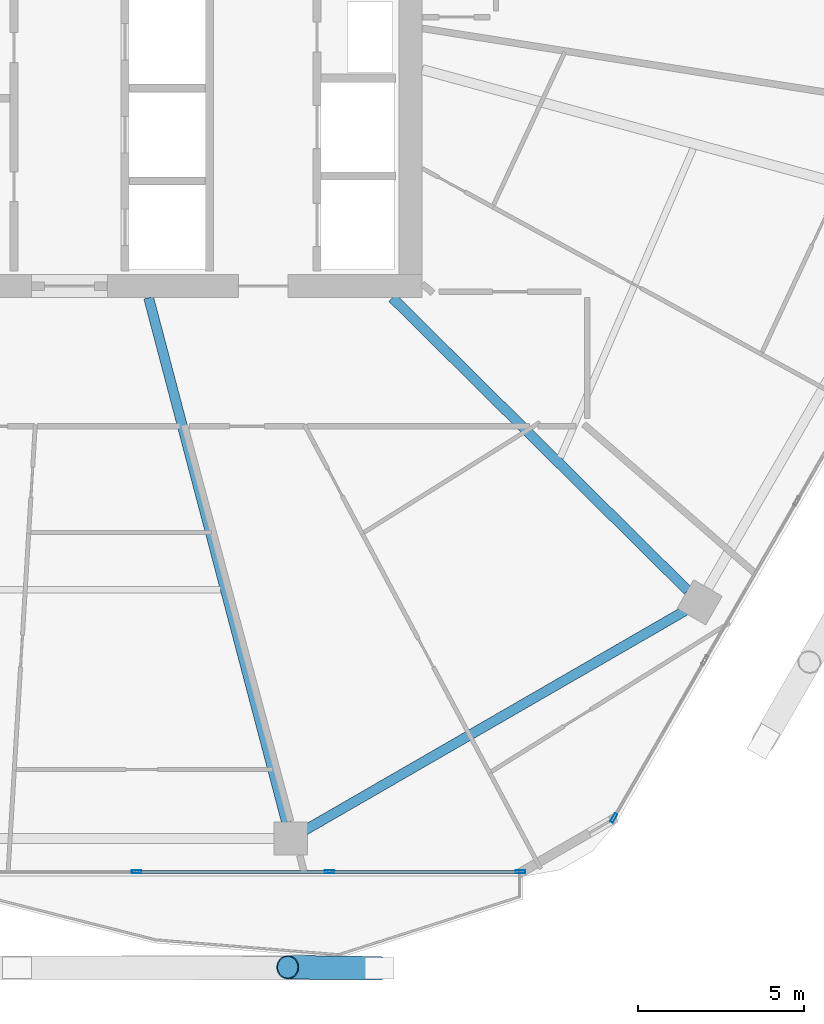
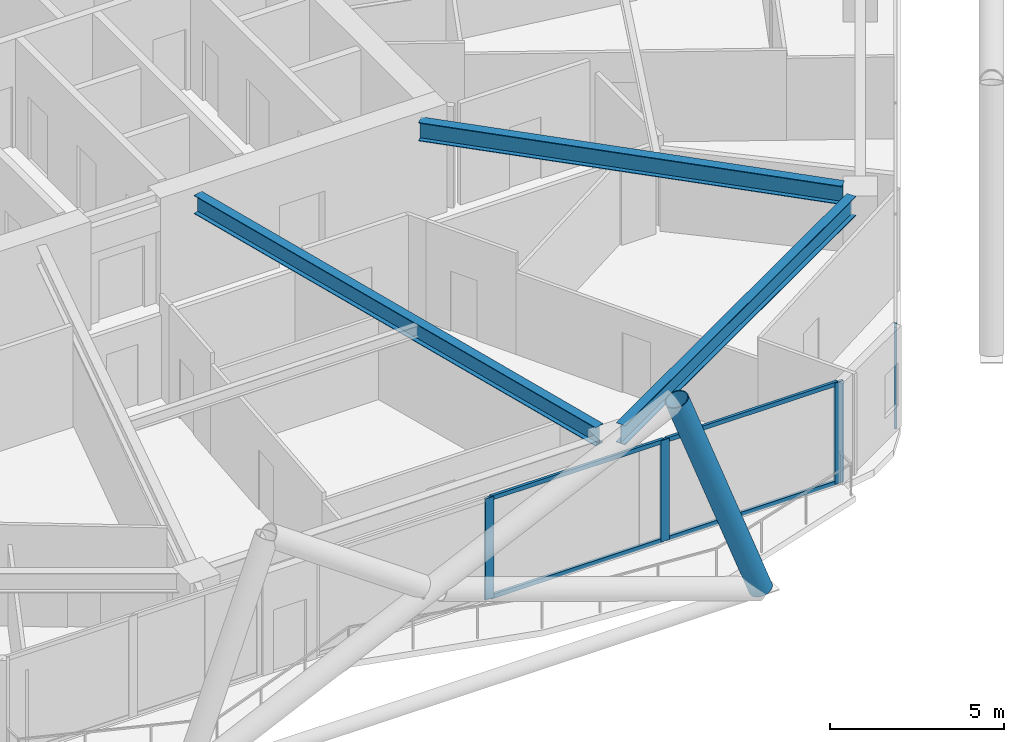
# One storey, part 7 of 29: 9 members, 3 beams, 2 elements without a shape of their own.
"""IFC4 building model written with IfcOpenShell, lengths in metres."""

from ifc_helpers import new_model, si_unit, direction, frame, origin, origin_2d, place, context, subcontext, project, spatial, hollow_rectangle, hollow_circle, i_section, extrude, material, material_profile, profile_set, type_object, element, aggregate, save


model = new_model("IFC4")

# Units and contexts
model_context = context("Model", 3, precision=1e-05, world=origin(), true_north=direction((0.0, 1.0)))
body_context = subcontext(model_context, "Body", "Model", "MODEL_VIEW")
ifc_project = project(units=[si_unit("LENGTHUNIT", "METRE"), si_unit("AREAUNIT", "SQUARE_METRE"), si_unit("VOLUMEUNIT", "CUBIC_METRE"), si_unit("PLANEANGLEUNIT", "RADIAN"), si_unit("MASSUNIT", "GRAM", prefix="KILO")], contexts=[model_context])

# Site, building, storey
site_placement = place(None, origin())
site = spatial("IfcSite", under=ifc_project, at=site_placement, CompositionType="ELEMENT")
building_placement = place(site_placement, origin())
building = spatial("IfcBuilding", under=site, at=building_placement, Name="Zuhravey Tower", CompositionType="ELEMENT")
storey_placement = place(building_placement, frame((0.0, 0.0, 161.800048828125)))
storey = spatial("IfcBuildingStorey", under=building, at=storey_placement, Name="L40", CompositionType="ELEMENT", Elevation=161.800048828125)

# Curtain wall, member
ifc_material_1 = material(Name="Thermally broken anodised aluminium", Category="aluminium")
curtain_wall_type = type_object("IfcCurtainWallType", Name="Zone 1-2 Residential Curtain Wall CW3", PredefinedType="NOTDEFINED", material=ifc_material_1)
curtain_wall_1_placement = place(storey_placement, origin())
curtain_wall_1 = element("IfcCurtainWall", 1, at=curtain_wall_1_placement, inside=storey, type_object=curtain_wall_type, Name="L40 CW3 CW-L40-F6-1", PredefinedType="NOTDEFINED")
ifc_material_2 = material(Name="Anodised aluminium", Category="aluminium")
ifc_material_profile_1 = material_profile(ifc_material_2, hollow_rectangle(XDim=0.090087890625, YDim=0.284912109375, WallThickness=0.0048828125, at=origin_2d()), Name="ALU-RHS-90x285x5")
ifc_profile_set_1 = profile_set([ifc_material_profile_1], Name="Anodised aluminium")
member_type_1 = type_object("IfcMemberType", Name="Curtain-Wall Mullion 90x180", PredefinedType="MULLION", material=ifc_profile_set_1)
member_1_placement = place(storey_placement, frame((52.63330078125, 6.443359375, 0.0), z_axis=(0.0, 0.0, 1.0), x_axis=(0.866025138215, -0.500000459979, 0.0)))
member_1 = element("IfcMember", 2, at=member_1_placement, type_object=member_type_1, Name="CW3 mullion 6", PredefinedType="MULLION", context=body_context, shape_type="SweptSolid", body=[
    extrude(hollow_rectangle(XDim=0.090087890625, YDim=0.284912109375, WallThickness=0.0048828125, at=origin_2d()), origin(), (0.0, 0.0, 1.0), 3.550048828125),
])
aggregate(curtain_wall_1, [member_1])

# Curtain wall, members
curtain_wall_2_placement = place(storey_placement, origin())
curtain_wall_2 = element("IfcCurtainWall", 3, at=curtain_wall_2_placement, inside=storey, type_object=curtain_wall_type, Name="L40 CW3 CW-L40-F5-1", PredefinedType="NOTDEFINED")
member_2_placement = place(storey_placement, frame((49.816162109375, 4.81689453125, 0.0), z_axis=(0.0, 0.0, 1.0), x_axis=(0.0, -1.0, 0.0)))
member_2 = element("IfcMember", 4, at=member_2_placement, type_object=member_type_1, Name="CW3 mullion 1", PredefinedType="MULLION", context=body_context, shape_type="SweptSolid", body=[
    extrude(hollow_rectangle(XDim=0.090087890625, YDim=0.284912109375, WallThickness=0.0048828125, at=origin_2d()), origin(), (0.0, 0.0, 1.0), 3.550048828125),
])
member_3_placement = place(storey_placement, frame((44.0439453125, 4.81689453125, 0.0), z_axis=(0.0, 0.0, 1.0), x_axis=(0.0, -1.0, 0.0)))
member_3 = element("IfcMember", 5, at=member_3_placement, type_object=member_type_1, Name="CW3 mullion 2", PredefinedType="MULLION", context=body_context, shape_type="SweptSolid", body=[
    extrude(hollow_rectangle(XDim=0.090087890625, YDim=0.284912109375, WallThickness=0.0048828125, at=origin_2d()), origin(), (0.0, 0.0, 1.0), 3.550048828125),
])
member_4_placement = place(storey_placement, frame((38.2265625, 4.81689453125, 0.0), z_axis=(0.0, 0.0, 1.0), x_axis=(0.0, -1.0, 0.0)))
member_4 = element("IfcMember", 6, at=member_4_placement, type_object=member_type_1, Name="CW3 mullion 3", PredefinedType="MULLION", context=body_context, shape_type="SweptSolid", body=[
    extrude(hollow_rectangle(XDim=0.090087890625, YDim=0.284912109375, WallThickness=0.0048828125, at=origin_2d()), origin(), (0.0, 0.0, 1.0), 3.550048828125),
])
ifc_material_profile_2 = material_profile(ifc_material_2, hollow_rectangle(XDim=0.090087890625, YDim=0.14990234375, WallThickness=0.0048828125, at=origin_2d()), Name="ALU-RHS-90x150x5")
ifc_profile_set_2 = profile_set([ifc_material_profile_2], Name="Anodised aluminium")
member_type_2 = type_object("IfcMemberType", Name="Curtain-Wall Transom 90x150", PredefinedType="USERDEFINED", material=ifc_profile_set_2)
member_5_placement = place(storey_placement, frame((49.77099609375, 4.81689453125, 0.044921875), z_axis=(-1.0, 0.0, 0.0), x_axis=(0.0, -1.0, 0.0)))
member_5 = element("IfcMember", 7, at=member_5_placement, type_object=member_type_2, Name="CW3 transom 1.1", ObjectType="TRANSOM", PredefinedType="USERDEFINED", context=body_context, shape_type="SweptSolid", body=[
    extrude(hollow_rectangle(XDim=0.090087890625, YDim=0.14990234375, WallThickness=0.0048828125, at=origin_2d()), origin(), (0.0, 0.0, 1.0), 5.68212890625),
])
member_6_placement = place(storey_placement, frame((49.77099609375, 4.81689453125, 3.5048828125), z_axis=(-1.0, 0.0, 0.0), x_axis=(0.0, -1.0, 0.0)))
member_6 = element("IfcMember", 8, at=member_6_placement, type_object=member_type_2, Name="CW3 transom 1.2", ObjectType="TRANSOM", PredefinedType="USERDEFINED", context=body_context, shape_type="SweptSolid", body=[
    extrude(hollow_rectangle(XDim=0.090087890625, YDim=0.14990234375, WallThickness=0.0048828125, at=origin_2d()), origin(), (0.0, 0.0, 1.0), 5.68212890625),
])
member_7_placement = place(storey_placement, frame((43.998779296875, 4.81689453125, 0.044921875), z_axis=(-1.0, 0.0, 0.0), x_axis=(0.0, -1.0, 0.0)))
member_7 = element("IfcMember", 9, at=member_7_placement, type_object=member_type_2, Name="CW3 transom 2.1", ObjectType="TRANSOM", PredefinedType="USERDEFINED", context=body_context, shape_type="SweptSolid", body=[
    extrude(hollow_rectangle(XDim=0.090087890625, YDim=0.14990234375, WallThickness=0.0048828125, at=origin_2d()), origin(), (0.0, 0.0, 1.0), 5.727294921875),
])
member_8_placement = place(storey_placement, frame((43.998779296875, 4.81689453125, 3.5048828125), z_axis=(-1.0, 0.0, 0.0), x_axis=(0.0, -1.0, 0.0)))
member_8 = element("IfcMember", 10, at=member_8_placement, type_object=member_type_2, Name="CW3 transom 2.2", ObjectType="TRANSOM", PredefinedType="USERDEFINED", context=body_context, shape_type="SweptSolid", body=[
    extrude(hollow_rectangle(XDim=0.090087890625, YDim=0.14990234375, WallThickness=0.0048828125, at=origin_2d()), origin(), (0.0, 0.0, 1.0), 5.727294921875),
])
aggregate(curtain_wall_2, [member_2, member_3, member_4, member_5, member_6, member_7, member_8])

# Member
ifc_material_3 = material(Name="Steel SM460", Category="steel")
ifc_material_profile_3 = material_profile(ifc_material_3, hollow_circle(Radius=0.355712890625, WallThickness=0.031982421875, at=origin_2d()), Name="CHS-711.2x32")
ifc_profile_set_3 = profile_set([ifc_material_profile_3], Name="Steel SM460")
member_type_3 = type_object("IfcMemberType", Name="Exoskeleton Zone 2 Diagrid CHS711x32", PredefinedType="BRACE", material=ifc_profile_set_3)
member_9_placement = place(storey_placement, frame((45.547607421875, 1.906982421875, -0.444091796875), z_axis=(-0.342856044852, 0.003700976595, 0.939380665801), x_axis=(-0.010793920789, -0.99994174394, 0.0)))
element("IfcMember", 11, at=member_9_placement, inside=storey, type_object=member_type_3, Name="L40 Face 5 Diagrid Brace 4", PredefinedType="BRACE", context=body_context, shape_type="SweptSolid", body=[
    extrude(hollow_circle(Radius=0.355712890625, WallThickness=0.031982421875, at=origin_2d()), origin(), (0.0, 0.0, 1.0), 8.0478515625),
])

# Beams
ifc_material_4 = material(Name="Steel SM355", Category="steel")
ifc_material_profile_4 = material_profile(ifc_material_4, i_section(OverallWidth=0.300048828125, OverallDepth=0.679931640625, WebThickness=0.012939453125, FlangeThickness=0.02197265625, at=origin_2d()), Name="H-680x300x13x22")
ifc_profile_set_4 = profile_set([ifc_material_profile_4], Name="Steel SM355")
beam_type_1 = type_object("IfcBeamType", Name="Perimeter Ring Beam H680x300", PredefinedType="BEAM", material=ifc_profile_set_4)
beam_1_placement = place(storey_placement, frame((43.317626953125, 6.078369140625, 3.2099609375), z_axis=(0.866022923061, 0.500004296715, 0.0), x_axis=(-0.500004296715, 0.866022923061, 0.0)))
element("IfcBeam", 12, at=beam_1_placement, inside=storey, type_object=beam_type_1, Name="L40 PB2 BM-L40-PB-10", PredefinedType="BEAM", context=body_context, shape_type="SweptSolid", body=[
    extrude(i_section(OverallWidth=0.300048828125, OverallDepth=0.679931640625, WebThickness=0.012939453125, FlangeThickness=0.02197265625, at=origin_2d()), origin(), (0.0, 0.0, 1.0), 13.2470703125),
])
ifc_material_profile_5 = material_profile(ifc_material_4, i_section(OverallWidth=0.300048828125, OverallDepth=0.64990234375, WebThickness=0.012939453125, FlangeThickness=0.02197265625, at=origin_2d()), Name="H-650x300x13x22")
ifc_profile_set_5 = profile_set([ifc_material_profile_5], Name="Steel SM355")
beam_type_2 = type_object("IfcBeamType", Name="Radial Primary Girder H650x300", PredefinedType="BEAM", material=ifc_profile_set_5)
beam_2_placement = place(storey_placement, frame((38.5908203125, 22.14697265625, 3.224853515625), z_axis=(0.254300244998, -0.967125320418, 0.0), x_axis=(0.967125320418, 0.254300244998, 0.0)))
element("IfcBeam", 13, at=beam_2_placement, inside=storey, type_object=beam_type_2, Name="L40 RG2 BM-L40-RAD-10", PredefinedType="BEAM", context=body_context, shape_type="SweptSolid", body=[
    extrude(i_section(OverallWidth=0.300048828125, OverallDepth=0.64990234375, WebThickness=0.012939453125, FlangeThickness=0.02197265625, at=origin_2d()), origin(), (0.0, 0.0, 1.0), 16.371826171875),
])
beam_3_placement = place(storey_placement, frame((45.945556640625, 22.14697265625, 3.224853515625), z_axis=(0.71040353357, -0.703794586148, 0.0), x_axis=(0.703794586148, 0.71040353357, 0.0)))
element("IfcBeam", 14, at=beam_3_placement, inside=storey, type_object=beam_type_2, Name="L40 RG2 BM-L40-RAD-11", PredefinedType="BEAM", context=body_context, shape_type="SweptSolid", body=[
    extrude(i_section(OverallWidth=0.300048828125, OverallDepth=0.64990234375, WebThickness=0.012939453125, FlangeThickness=0.02197265625, at=origin_2d()), origin(), (0.0, 0.0, 1.0), 12.559814453125),
])

save(model, "model.ifc")
